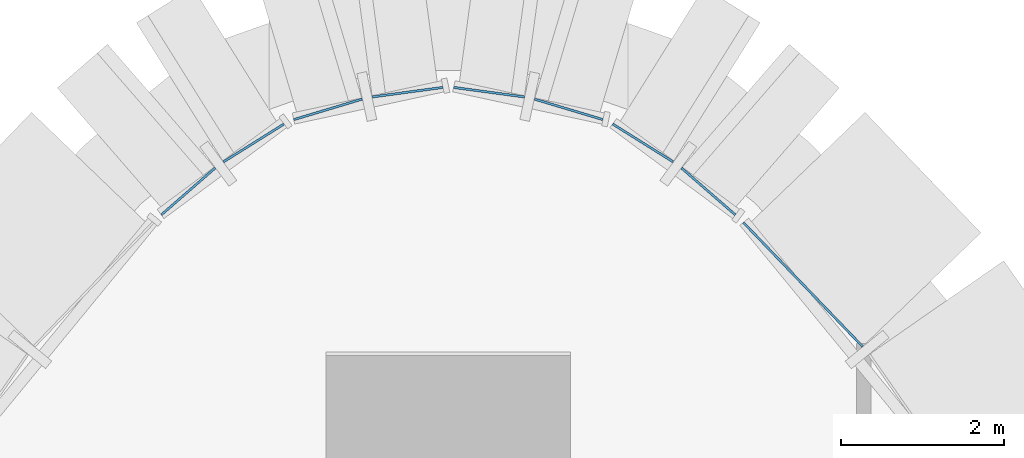
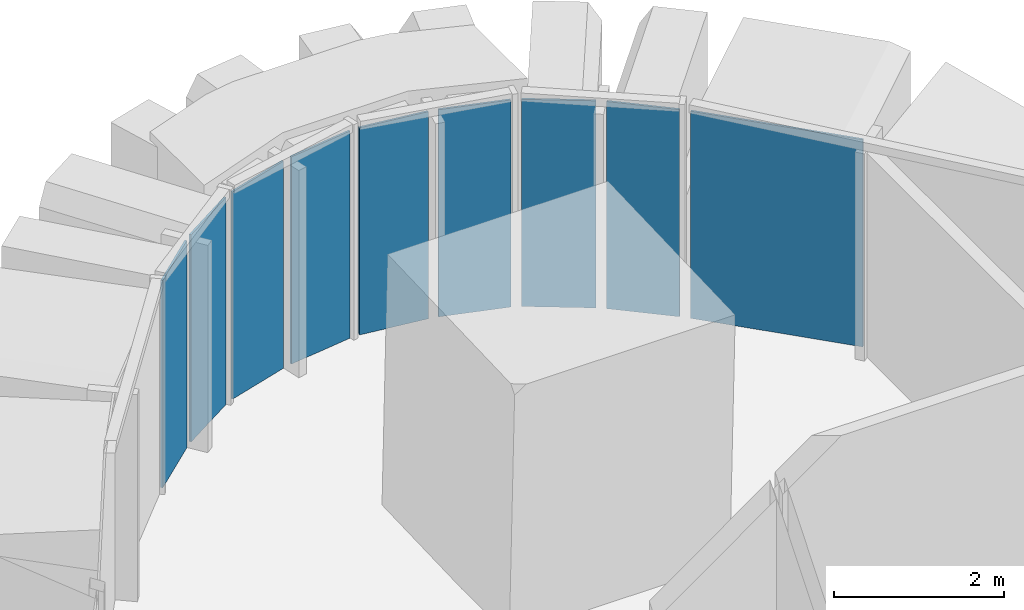
# One storey, part 14 of 27: 9 plates, 5 elements without a shape of their own.
"""IFC4 building model written with IfcOpenShell, lengths in metres."""

from ifc_helpers import new_model, si_unit, direction, frame, origin, place, context, subcontext, project, spatial, polyline, outline, extrude, material, layer, layer_set, type_object, element, aggregate, save


model = new_model("IFC4")

# Units and contexts
model_context = context("Model", 3, precision=1e-05, world=origin(), true_north=direction((0.0, 1.0)))
body_context = subcontext(model_context, "Body", "Model", "MODEL_VIEW")
ifc_project = project(units=[si_unit("LENGTHUNIT", "METRE"), si_unit("AREAUNIT", "SQUARE_METRE"), si_unit("VOLUMEUNIT", "CUBIC_METRE"), si_unit("PLANEANGLEUNIT", "RADIAN"), si_unit("MASSUNIT", "GRAM", prefix="KILO")], contexts=[model_context])

# Site, building, storey
site_placement = place(None, origin())
site = spatial("IfcSite", under=ifc_project, at=site_placement, CompositionType="ELEMENT")
building_placement = place(site_placement, origin())
building = spatial("IfcBuilding", under=site, at=building_placement, Name="Sierra Prisma Convention Tower", CompositionType="ELEMENT")
storey_placement = place(building_placement, frame((0.0, 0.0, 48.0)))
storey = spatial("IfcBuildingStorey", under=building, at=storey_placement, Name="L07", CompositionType="ELEMENT", Elevation=48.0)

# Curtain wall, plate
ifc_material_1 = material(Name="Aluminium and glass curtain wall", Category="aluminium")
ifc_layer_1 = layer(ifc_material_1, 0.179931640625)
ifc_layer_set_1 = layer_set([ifc_layer_1], Name="CW-2 Faceted crystal curtain wall")
curtain_wall_type = type_object("IfcCurtainWallType", Name="CW-2 Faceted crystal curtain wall", PredefinedType="NOTDEFINED", material=ifc_layer_set_1)
curtain_wall_1_placement = place(storey_placement, origin())
curtain_wall_1 = element("IfcCurtainWall", 1, at=curtain_wall_1_placement, inside=storey, type_object=curtain_wall_type, Name="CW-2 NE6 L07", PredefinedType="NOTDEFINED")
ifc_material_2 = material(Name="Tinted glass bronze-grey IGU", Category="glass")
ifc_layer_2 = layer(ifc_material_2, 0.028076171875)
ifc_layer_set_2 = layer_set([ifc_layer_2], Name="CW-2 crystal pane")
plate_type = type_object("IfcPlateType", Name="CW-2 crystal pane", PredefinedType="CURTAIN_PANEL", material=ifc_layer_set_2)
plate_1_placement = place(storey_placement, frame((3.6337890625, 34.556640625, 0.0), z_axis=(0.720959704882, 0.692976986585, 0.0), x_axis=(0.692976986585, -0.720959704882, 0.0)))
plate_1 = element("IfcPlate", 2, at=plate_1_placement, type_object=plate_type, Name="CW-2 pane NE6.2.2", PredefinedType="CURTAIN_PANEL", context=body_context, shape_type="SweptSolid", body=[
    extrude(outline(polyline([(0.0, 0.0), (2.11137569349202, 0.0), (2.11137569349202, -2.97998046875), (0.0, -2.97998046875), (0.0, 0.0)])), origin(), (0.0, 0.0, -1.0), 0.028076171875),
])
aggregate(curtain_wall_1, [plate_1])

# Curtain wall, plates
curtain_wall_2_placement = place(storey_placement, origin())
curtain_wall_2 = element("IfcCurtainWall", 3, at=curtain_wall_2_placement, inside=storey, type_object=curtain_wall_type, Name="CW-2 N1 L07", PredefinedType="NOTDEFINED")
plate_2_placement = place(storey_placement, frame((3.533203125, 34.65234375, 0.0), z_axis=(0.656171810786, 0.754611525707, 0.0), x_axis=(-0.754611525707, 0.656171810786, 0.0)))
plate_2 = element("IfcPlate", 4, at=plate_2_placement, type_object=plate_type, Name="CW-2 pane N1.1.1", PredefinedType="CURTAIN_PANEL", context=body_context, shape_type="SweptSolid", body=[
    extrude(outline(polyline([(0.0, 0.0), (0.8754763328473039, 0.0), (0.8754763328473039, 2.97998046875), (0.0, 2.97998046875), (0.0, 0.0)])), origin(), (0.0, 0.0, -1.0), 0.028076171875),
])
plate_3_placement = place(storey_placement, frame((2.026123046875, 35.76806640625, 0.0), z_axis=(0.530199486488, 0.84787292947, 0.0), x_axis=(0.84787292947, -0.530199486488, 0.0)))
plate_3 = element("IfcPlate", 5, at=plate_3_placement, type_object=plate_type, Name="CW-2 pane N1.1.2", PredefinedType="CURTAIN_PANEL", context=body_context, shape_type="SweptSolid", body=[
    extrude(outline(polyline([(0.0, 0.0), (0.8753522776860763, 0.0), (0.8753522776860763, -2.97998046875), (0.0, -2.97998046875), (0.0, 0.0)])), origin(), (0.0, 0.0, -1.0), 0.028076171875),
])
aggregate(curtain_wall_2, [plate_2, plate_3])

curtain_wall_3_placement = place(storey_placement, origin())
curtain_wall_3 = element("IfcCurtainWall", 6, at=curtain_wall_3_placement, inside=storey, type_object=curtain_wall_type, Name="CW-2 N2 L07", PredefinedType="NOTDEFINED")
plate_4_placement = place(storey_placement, frame((1.9013671875, 35.824462890625, 0.0), z_axis=(0.286964087275, 0.957941340905, 0.0), x_axis=(-0.957941340905, 0.286964087275, 0.0)))
plate_4 = element("IfcPlate", 7, at=plate_4_placement, type_object=plate_type, Name="CW-2 pane N2.1.1", PredefinedType="CURTAIN_PANEL", context=body_context, shape_type="SweptSolid", body=[
    extrude(outline(polyline([(0.0, 0.0), (0.8754430058139296, 0.0), (0.8754430058139296, 2.97998046875), (0.0, 2.97998046875), (0.0, 0.0)])), origin(), (0.0, 0.0, -1.0), 0.028076171875),
])
plate_5_placement = place(storey_placement, frame((0.068359375, 36.219970703125, 0.0), z_axis=(0.133570023102, 0.991039378092, 0.0), x_axis=(0.991039378092, -0.133570023102, 0.0)))
plate_5 = element("IfcPlate", 8, at=plate_5_placement, type_object=plate_type, Name="CW-2 pane N2.1.2", PredefinedType="CURTAIN_PANEL", context=body_context, shape_type="SweptSolid", body=[
    extrude(outline(polyline([(0.0, 0.0), (0.8755209938486388, 0.0), (0.8755209938486388, -2.97998046875), (0.0, -2.97998046875), (0.0, 0.0)])), origin(), (0.0, 0.0, -1.0), 0.028076171875),
])
aggregate(curtain_wall_3, [plate_4, plate_5])

curtain_wall_4_placement = place(storey_placement, origin())
curtain_wall_4 = element("IfcCurtainWall", 9, at=curtain_wall_4_placement, inside=storey, type_object=curtain_wall_type, Name="CW-2 N3 L07", PredefinedType="NOTDEFINED")
plate_6_placement = place(storey_placement, frame((-0.068359375, 36.219970703125, 0.0), z_axis=(-0.133570023102, 0.991039378092, 0.0), x_axis=(-0.991039378092, -0.133570023102, 0.0)))
plate_6 = element("IfcPlate", 10, at=plate_6_placement, type_object=plate_type, Name="CW-2 pane N3.1.1", PredefinedType="CURTAIN_PANEL", context=body_context, shape_type="SweptSolid", body=[
    extrude(outline(polyline([(0.0, 0.0), (0.8755209938486388, 0.0), (0.8755209938486388, 2.97998046875), (0.0, 2.97998046875), (0.0, 0.0)])), origin(), (0.0, 0.0, -1.0), 0.028076171875),
])
plate_7_placement = place(storey_placement, frame((-1.9013671875, 35.824462890625, 0.0), z_axis=(-0.286964087275, 0.957941340905, 0.0), x_axis=(0.957941340905, 0.286964087275, 0.0)))
plate_7 = element("IfcPlate", 11, at=plate_7_placement, type_object=plate_type, Name="CW-2 pane N3.1.2", PredefinedType="CURTAIN_PANEL", context=body_context, shape_type="SweptSolid", body=[
    extrude(outline(polyline([(0.0, 0.0), (0.8754430058139296, 0.0), (0.8754430058139296, -2.97998046875), (0.0, -2.97998046875), (0.0, 0.0)])), origin(), (0.0, 0.0, -1.0), 0.028076171875),
])
aggregate(curtain_wall_4, [plate_6, plate_7])

curtain_wall_5_placement = place(storey_placement, origin())
curtain_wall_5 = element("IfcCurtainWall", 12, at=curtain_wall_5_placement, inside=storey, type_object=curtain_wall_type, Name="CW-2 N4 L07", PredefinedType="NOTDEFINED")
plate_8_placement = place(storey_placement, frame((-2.026123046875, 35.76806640625, 0.0), z_axis=(-0.530199486488, 0.84787292947, 0.0), x_axis=(-0.84787292947, -0.530199486488, 0.0)))
plate_8 = element("IfcPlate", 13, at=plate_8_placement, type_object=plate_type, Name="CW-2 pane N4.1.1", PredefinedType="CURTAIN_PANEL", context=body_context, shape_type="SweptSolid", body=[
    extrude(outline(polyline([(0.0, 0.0), (0.8753522776860763, 0.0), (0.8753522776860763, 2.97998046875), (0.0, 2.97998046875), (0.0, 0.0)])), origin(), (0.0, 0.0, -1.0), 0.028076171875),
])
plate_9_placement = place(storey_placement, frame((-3.533203125, 34.65234375, 0.0), z_axis=(-0.656171810786, 0.754611525707, 0.0), x_axis=(0.754611525707, 0.656171810786, 0.0)))
plate_9 = element("IfcPlate", 14, at=plate_9_placement, type_object=plate_type, Name="CW-2 pane N4.1.2", PredefinedType="CURTAIN_PANEL", context=body_context, shape_type="SweptSolid", body=[
    extrude(outline(polyline([(0.0, 0.0), (0.8754763328473039, 0.0), (0.8754763328473039, -2.97998046875), (0.0, -2.97998046875), (0.0, 0.0)])), origin(), (0.0, 0.0, -1.0), 0.028076171875),
])
aggregate(curtain_wall_5, [plate_8, plate_9])

save(model, "model.ifc")
